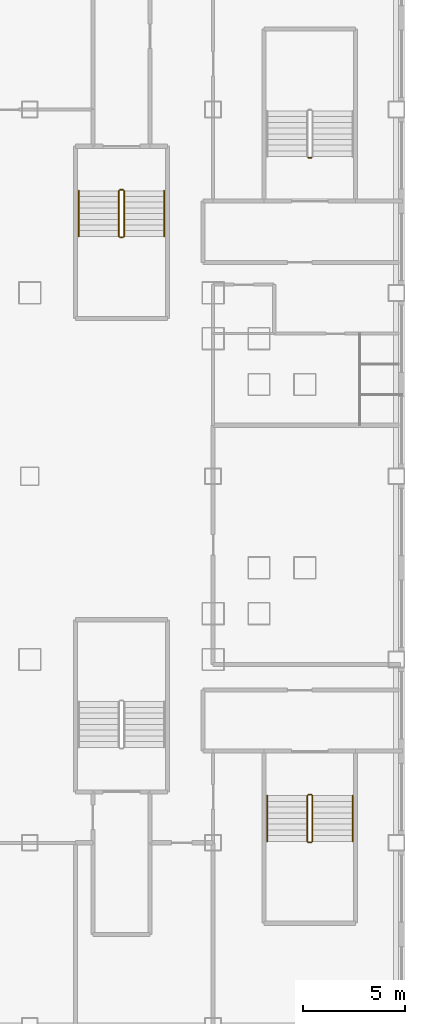
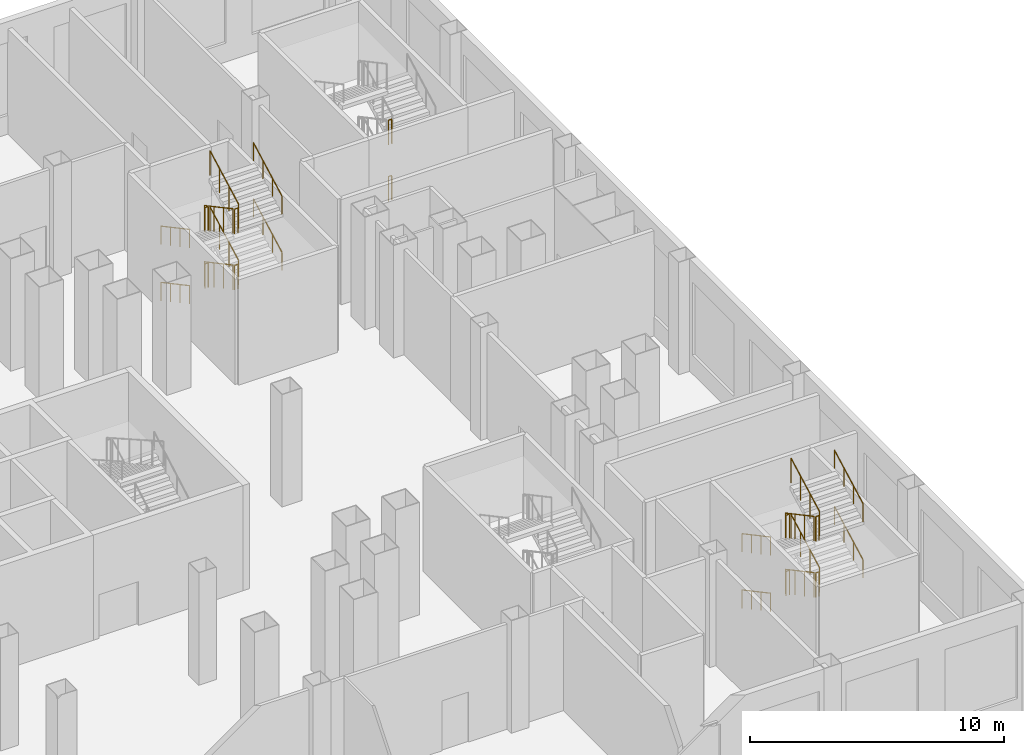
# One storey, part 25 of 26: 26 railings.
"""IFC4 building model written with IfcOpenShell, lengths in metres."""

from ifc_helpers import new_model, si_unit, direction, frame, origin, origin_2d, place, context, subcontext, project, spatial, circle, extrude, material, type_object, element, save


model = new_model("IFC4")

# Units and contexts
model_context = context("Model", 3, precision=1e-05, world=origin(), true_north=direction((0.0, 1.0)))
body_context = subcontext(model_context, "Body", "Model", "MODEL_VIEW")
ifc_project = project(units=[si_unit("LENGTHUNIT", "METRE"), si_unit("AREAUNIT", "SQUARE_METRE"), si_unit("VOLUMEUNIT", "CUBIC_METRE"), si_unit("PLANEANGLEUNIT", "RADIAN"), si_unit("MASSUNIT", "GRAM", prefix="KILO")], contexts=[model_context])

# Site, building, storey
site_placement = place(None, origin())
site = spatial("IfcSite", under=ifc_project, at=site_placement, CompositionType="ELEMENT")
building_placement = place(site_placement, origin())
building = spatial("IfcBuilding", under=site, at=building_placement, Name="Caravel Reach Hotel and Residences", CompositionType="ELEMENT")
storey_placement = place(building_placement, frame((0.0, 0.0, 12.0)))
storey = spatial("IfcBuildingStorey", under=building, at=storey_placement, Name="L02", CompositionType="ELEMENT", Elevation=12.0)

# Railings
ifc_material_1 = material(Name="Steel balustrade with glass infill", Category="steel")
railing_type_1 = type_object("IfcRailingType", Name="Guard 1200", PredefinedType="GUARDRAIL", material=ifc_material_1)
railing_1_placement = place(storey_placement, frame((53.875, 41.010009765625, 0.14990234375)))
element("IfcRailing", 1, at=railing_1_placement, inside=storey, type_object=railing_type_1, Name="L02 ST-P2 stair guard 1", PredefinedType="GUARDRAIL", context=body_context, shape_type="SweptSolid", body=[
    extrude(circle(Radius=0.02392578125, at=origin_2d()), frame((0.0, 0.0, 1.17578125), z_axis=(0.0, -0.881447119201, 0.472282728937), x_axis=(1.0, 0.0, 0.0)), (0.0, 0.0, 1.0), 2.541259765625),
    extrude(circle(Radius=0.02099609375, at=origin_2d()), origin(), (0.0, 0.0, 1.0), 1.15185546875),
    extrude(circle(Radius=0.02099609375, at=origin_2d()), frame((0.0, -0.74658203125, 0.400146484375)), (0.0, 0.0, 1.0), 1.15185546875),
    extrude(circle(Radius=0.02099609375, at=origin_2d()), frame((0.0, -1.493408203125, 0.800048828125)), (0.0, 0.0, 1.0), 1.15185546875),
    extrude(circle(Radius=0.02099609375, at=origin_2d()), frame((0.0, -2.239990234375, 1.2001953125)), (0.0, 0.0, 1.0), 1.15185546875),
])
railing_2_placement = place(storey_placement, frame((53.925048828125, 38.719970703125, 1.35009765625)))
element("IfcRailing", 2, at=railing_2_placement, inside=storey, type_object=railing_type_1, Name="L02 ST-P2 stair guard 2", PredefinedType="GUARDRAIL", context=body_context, shape_type="SweptSolid", body=[
    extrude(circle(Radius=0.02392578125, at=origin_2d()), frame((0.0, 0.0, 1.17578125), z_axis=(1.0, 0.0, 0.0), x_axis=(0.0, 1.0, 0.0)), (0.0, 0.0, 1.0), 0.14990234375),
    extrude(circle(Radius=0.02099609375, at=origin_2d()), origin(), (0.0, 0.0, 1.0), 1.15185546875),
    extrude(circle(Radius=0.02099609375, at=origin_2d()), frame((0.14990234375, 0.0, 0.0)), (0.0, 0.0, 1.0), 1.15185546875),
])
railing_3_placement = place(storey_placement, frame((54.125, 38.77001953125, 1.5)))
element("IfcRailing", 3, at=railing_3_placement, inside=storey, type_object=railing_type_1, Name="L02 ST-P2 stair guard 3", PredefinedType="GUARDRAIL", context=body_context, shape_type="SweptSolid", body=[
    extrude(circle(Radius=0.02392578125, at=origin_2d()), frame((0.0, 0.0, 1.17578125), z_axis=(0.0, 0.881487111273, 0.472208081951), x_axis=(-1.0, 0.0, 0.0)), (0.0, 0.0, 1.0), 2.541259765625),
    extrude(circle(Radius=0.02099609375, at=origin_2d()), origin(), (0.0, 0.0, 1.0), 1.15185546875),
    extrude(circle(Radius=0.02099609375, at=origin_2d()), frame((0.0, 0.74658203125, 0.39990234375)), (0.0, 0.0, 1.0), 1.15185546875),
    extrude(circle(Radius=0.02099609375, at=origin_2d()), frame((0.0, 1.493408203125, 0.800048828125)), (0.0, 0.0, 1.0), 1.15185546875),
    extrude(circle(Radius=0.02099609375, at=origin_2d()), frame((0.0, 2.239990234375, 1.199951171875)), (0.0, 0.0, 1.0), 1.15185546875),
])
railing_4_placement = place(storey_placement, frame((53.925048828125, 41.06005859375, 2.699951171875)))
element("IfcRailing", 4, at=railing_4_placement, inside=storey, type_object=railing_type_1, Name="L02 ST-P2 stair guard 4", PredefinedType="GUARDRAIL", context=body_context, shape_type="SweptSolid", body=[
    extrude(circle(Radius=0.02392578125, at=origin_2d()), frame((0.0, 0.0, 1.17578125), z_axis=(1.0, 0.0, 0.0), x_axis=(0.0, 1.0, 0.0)), (0.0, 0.0, 1.0), 0.14990234375),
    extrude(circle(Radius=0.02099609375, at=origin_2d()), origin(), (0.0, 0.0, 1.0), 1.15185546875),
    extrude(circle(Radius=0.02099609375, at=origin_2d()), frame((0.14990234375, 0.0, 0.0)), (0.0, 0.0, 1.0), 1.15185546875),
])
railing_5_placement = place(storey_placement, frame((53.875, 41.010009765625, 2.85009765625)))
element("IfcRailing", 5, at=railing_5_placement, inside=storey, type_object=railing_type_1, Name="L02 ST-P2 stair guard 5", PredefinedType="GUARDRAIL", context=body_context, shape_type="SweptSolid", body=[
    extrude(circle(Radius=0.02392578125, at=origin_2d()), frame((0.0, 0.0, 1.17578125), z_axis=(0.0, -0.881487111273, 0.472208081951), x_axis=(1.0, 0.0, 0.0)), (0.0, 0.0, 1.0), 2.541259765625),
    extrude(circle(Radius=0.02099609375, at=origin_2d()), origin(), (0.0, 0.0, 1.0), 1.15185546875),
    extrude(circle(Radius=0.02099609375, at=origin_2d()), frame((0.0, -0.74658203125, 0.39990234375)), (0.0, 0.0, 1.0), 1.15185546875),
    extrude(circle(Radius=0.02099609375, at=origin_2d()), frame((0.0, -1.493408203125, 0.800048828125)), (0.0, 0.0, 1.0), 1.15185546875),
    extrude(circle(Radius=0.02099609375, at=origin_2d()), frame((0.0, -2.239990234375, 1.199951171875)), (0.0, 0.0, 1.0), 1.15185546875),
])
railing_6_placement = place(storey_placement, frame((53.925048828125, 38.719970703125, 4.050048828125)))
element("IfcRailing", 6, at=railing_6_placement, inside=storey, type_object=railing_type_1, Name="L02 ST-P2 stair guard 6", PredefinedType="GUARDRAIL", context=body_context, shape_type="SweptSolid", body=[
    extrude(circle(Radius=0.02392578125, at=origin_2d()), frame((0.0, 0.0, 1.17578125), z_axis=(1.0, 0.0, 0.0), x_axis=(0.0, 1.0, 0.0)), (0.0, 0.0, 1.0), 0.14990234375),
    extrude(circle(Radius=0.02099609375, at=origin_2d()), origin(), (0.0, 0.0, 1.0), 1.15185546875),
    extrude(circle(Radius=0.02099609375, at=origin_2d()), frame((0.14990234375, 0.0, 0.0)), (0.0, 0.0, 1.0), 1.15185546875),
])
railing_7_placement = place(storey_placement, frame((54.125, 38.77001953125, 4.199951171875)))
element("IfcRailing", 7, at=railing_7_placement, inside=storey, type_object=railing_type_1, Name="L02 ST-P2 stair guard 7", PredefinedType="GUARDRAIL", context=body_context, shape_type="SweptSolid", body=[
    extrude(circle(Radius=0.02392578125, at=origin_2d()), frame((0.0, 0.0, 1.17578125), z_axis=(0.0, 0.881487111273, 0.472208081951), x_axis=(-1.0, 0.0, 0.0)), (0.0, 0.0, 1.0), 2.541259765625),
    extrude(circle(Radius=0.02099609375, at=origin_2d()), origin(), (0.0, 0.0, 1.0), 1.15185546875),
    extrude(circle(Radius=0.02099609375, at=origin_2d()), frame((0.0, 0.74658203125, 0.39990234375)), (0.0, 0.0, 1.0), 1.15185546875),
    extrude(circle(Radius=0.02099609375, at=origin_2d()), frame((0.0, 1.493408203125, 0.800048828125)), (0.0, 0.0, 1.0), 1.15185546875),
    extrude(circle(Radius=0.02099609375, at=origin_2d()), frame((0.0, 2.239990234375, 1.199951171875)), (0.0, 0.0, 1.0), 1.15185546875),
])
railing_8_placement = place(storey_placement, frame((53.925048828125, 41.06005859375, 0.0)))
element("IfcRailing", 8, at=railing_8_placement, inside=storey, type_object=railing_type_1, Name="L02 ST-P2 stair guard 8", PredefinedType="GUARDRAIL", context=body_context, shape_type="SweptSolid", body=[
    extrude(circle(Radius=0.02392578125, at=origin_2d()), frame((0.0, 0.0, 1.17578125), z_axis=(1.0, 0.0, 0.0), x_axis=(0.0, 1.0, 0.0)), (0.0, 0.0, 1.0), 0.14990234375),
    extrude(circle(Radius=0.02099609375, at=origin_2d()), origin(), (0.0, 0.0, 1.0), 1.15185546875),
    extrude(circle(Radius=0.02099609375, at=origin_2d()), frame((0.14990234375, 0.0, 0.0)), (0.0, 0.0, 1.0), 1.15185546875),
])
for number, where, name in (
    (9, (63.324951171875, 42.639892578125, 2.699951171875), "L02 ST-P6 stair guard 4"),
    (10, (63.324951171875, 42.639892578125, 0.0), "L02 ST-P6 stair guard 8"),
):
    element("IfcRailing", number, at=place(storey_placement, frame(where)), inside=storey, type_object=railing_type_1, Name=name, PredefinedType="GUARDRAIL", context=body_context, shape_type="SweptSolid", body=[
        extrude(circle(Radius=0.02392578125, at=origin_2d()), frame((0.0, 0.0, 1.17578125), z_axis=(-1.0, 0.0, 0.0), x_axis=(0.0, -1.0, 0.0)), (0.0, 0.0, 1.0), 0.14990234375),
        extrude(circle(Radius=0.02099609375, at=origin_2d()), origin(), (0.0, 0.0, 1.0), 1.15185546875),
        extrude(circle(Radius=0.02099609375, at=origin_2d()), frame((-0.14990234375, 0.0, 0.0)), (0.0, 0.0, 1.0), 1.15185546875),
    ])
railing_9_placement = place(storey_placement, frame((63.125, 11.31005859375, 0.14990234375)))
element("IfcRailing", 11, at=railing_9_placement, inside=storey, type_object=railing_type_1, Name="L02 ST-P7 stair guard 1", PredefinedType="GUARDRAIL", context=body_context, shape_type="SweptSolid", body=[
    extrude(circle(Radius=0.02392578125, at=origin_2d()), frame((0.0, 0.0, 1.17578125), z_axis=(0.0, -0.881447119201, 0.472282728937), x_axis=(1.0, 0.0, 0.0)), (0.0, 0.0, 1.0), 2.541259765625),
    extrude(circle(Radius=0.02099609375, at=origin_2d()), origin(), (0.0, 0.0, 1.0), 1.15185546875),
    extrude(circle(Radius=0.02099609375, at=origin_2d()), frame((0.0, -0.74658203125, 0.400146484375)), (0.0, 0.0, 1.0), 1.15185546875),
    extrude(circle(Radius=0.02099609375, at=origin_2d()), frame((0.0, -1.493408203125, 0.800048828125)), (0.0, 0.0, 1.0), 1.15185546875),
    extrude(circle(Radius=0.02099609375, at=origin_2d()), frame((0.0, -2.239990234375, 1.2001953125)), (0.0, 0.0, 1.0), 1.15185546875),
])
railing_10_placement = place(storey_placement, frame((63.175048828125, 9.02001953125, 1.35009765625)))
element("IfcRailing", 12, at=railing_10_placement, inside=storey, type_object=railing_type_1, Name="L02 ST-P7 stair guard 2", PredefinedType="GUARDRAIL", context=body_context, shape_type="SweptSolid", body=[
    extrude(circle(Radius=0.02392578125, at=origin_2d()), frame((0.0, 0.0, 1.17578125), z_axis=(1.0, 0.0, 0.0), x_axis=(0.0, 1.0, 0.0)), (0.0, 0.0, 1.0), 0.14990234375),
    extrude(circle(Radius=0.02099609375, at=origin_2d()), origin(), (0.0, 0.0, 1.0), 1.15185546875),
    extrude(circle(Radius=0.02099609375, at=origin_2d()), frame((0.14990234375, 0.0, 0.0)), (0.0, 0.0, 1.0), 1.15185546875),
])
railing_11_placement = place(storey_placement, frame((63.375, 9.070068359375, 1.5)))
element("IfcRailing", 13, at=railing_11_placement, inside=storey, type_object=railing_type_1, Name="L02 ST-P7 stair guard 3", PredefinedType="GUARDRAIL", context=body_context, shape_type="SweptSolid", body=[
    extrude(circle(Radius=0.02392578125, at=origin_2d()), frame((0.0, 0.0, 1.17578125), z_axis=(0.0, 0.881487111273, 0.472208081951), x_axis=(-1.0, 0.0, 0.0)), (0.0, 0.0, 1.0), 2.541259765625),
    extrude(circle(Radius=0.02099609375, at=origin_2d()), origin(), (0.0, 0.0, 1.0), 1.15185546875),
    extrude(circle(Radius=0.02099609375, at=origin_2d()), frame((0.0, 0.74658203125, 0.39990234375)), (0.0, 0.0, 1.0), 1.15185546875),
    extrude(circle(Radius=0.02099609375, at=origin_2d()), frame((0.0, 1.493408203125, 0.800048828125)), (0.0, 0.0, 1.0), 1.15185546875),
    extrude(circle(Radius=0.02099609375, at=origin_2d()), frame((0.0, 2.239990234375, 1.199951171875)), (0.0, 0.0, 1.0), 1.15185546875),
])
railing_12_placement = place(storey_placement, frame((63.175048828125, 11.360107421875, 2.699951171875)))
element("IfcRailing", 14, at=railing_12_placement, inside=storey, type_object=railing_type_1, Name="L02 ST-P7 stair guard 4", PredefinedType="GUARDRAIL", context=body_context, shape_type="SweptSolid", body=[
    extrude(circle(Radius=0.02392578125, at=origin_2d()), frame((0.0, 0.0, 1.17578125), z_axis=(1.0, 0.0, 0.0), x_axis=(0.0, 1.0, 0.0)), (0.0, 0.0, 1.0), 0.14990234375),
    extrude(circle(Radius=0.02099609375, at=origin_2d()), origin(), (0.0, 0.0, 1.0), 1.15185546875),
    extrude(circle(Radius=0.02099609375, at=origin_2d()), frame((0.14990234375, 0.0, 0.0)), (0.0, 0.0, 1.0), 1.15185546875),
])
railing_13_placement = place(storey_placement, frame((63.125, 11.31005859375, 2.85009765625)))
element("IfcRailing", 15, at=railing_13_placement, inside=storey, type_object=railing_type_1, Name="L02 ST-P7 stair guard 5", PredefinedType="GUARDRAIL", context=body_context, shape_type="SweptSolid", body=[
    extrude(circle(Radius=0.02392578125, at=origin_2d()), frame((0.0, 0.0, 1.17578125), z_axis=(0.0, -0.881487111273, 0.472208081951), x_axis=(1.0, 0.0, 0.0)), (0.0, 0.0, 1.0), 2.541259765625),
    extrude(circle(Radius=0.02099609375, at=origin_2d()), origin(), (0.0, 0.0, 1.0), 1.15185546875),
    extrude(circle(Radius=0.02099609375, at=origin_2d()), frame((0.0, -0.74658203125, 0.39990234375)), (0.0, 0.0, 1.0), 1.15185546875),
    extrude(circle(Radius=0.02099609375, at=origin_2d()), frame((0.0, -1.493408203125, 0.800048828125)), (0.0, 0.0, 1.0), 1.15185546875),
    extrude(circle(Radius=0.02099609375, at=origin_2d()), frame((0.0, -2.239990234375, 1.199951171875)), (0.0, 0.0, 1.0), 1.15185546875),
])
railing_14_placement = place(storey_placement, frame((63.175048828125, 9.02001953125, 4.050048828125)))
element("IfcRailing", 16, at=railing_14_placement, inside=storey, type_object=railing_type_1, Name="L02 ST-P7 stair guard 6", PredefinedType="GUARDRAIL", context=body_context, shape_type="SweptSolid", body=[
    extrude(circle(Radius=0.02392578125, at=origin_2d()), frame((0.0, 0.0, 1.17578125), z_axis=(1.0, 0.0, 0.0), x_axis=(0.0, 1.0, 0.0)), (0.0, 0.0, 1.0), 0.14990234375),
    extrude(circle(Radius=0.02099609375, at=origin_2d()), origin(), (0.0, 0.0, 1.0), 1.15185546875),
    extrude(circle(Radius=0.02099609375, at=origin_2d()), frame((0.14990234375, 0.0, 0.0)), (0.0, 0.0, 1.0), 1.15185546875),
])
railing_15_placement = place(storey_placement, frame((63.375, 9.070068359375, 4.199951171875)))
element("IfcRailing", 17, at=railing_15_placement, inside=storey, type_object=railing_type_1, Name="L02 ST-P7 stair guard 7", PredefinedType="GUARDRAIL", context=body_context, shape_type="SweptSolid", body=[
    extrude(circle(Radius=0.02392578125, at=origin_2d()), frame((0.0, 0.0, 1.17578125), z_axis=(0.0, 0.881487111273, 0.472208081951), x_axis=(-1.0, 0.0, 0.0)), (0.0, 0.0, 1.0), 2.541259765625),
    extrude(circle(Radius=0.02099609375, at=origin_2d()), origin(), (0.0, 0.0, 1.0), 1.15185546875),
    extrude(circle(Radius=0.02099609375, at=origin_2d()), frame((0.0, 0.74658203125, 0.39990234375)), (0.0, 0.0, 1.0), 1.15185546875),
    extrude(circle(Radius=0.02099609375, at=origin_2d()), frame((0.0, 1.493408203125, 0.800048828125)), (0.0, 0.0, 1.0), 1.15185546875),
    extrude(circle(Radius=0.02099609375, at=origin_2d()), frame((0.0, 2.239990234375, 1.199951171875)), (0.0, 0.0, 1.0), 1.15185546875),
])
railing_16_placement = place(storey_placement, frame((63.175048828125, 11.360107421875, 0.0)))
element("IfcRailing", 18, at=railing_16_placement, inside=storey, type_object=railing_type_1, Name="L02 ST-P7 stair guard 8", PredefinedType="GUARDRAIL", context=body_context, shape_type="SweptSolid", body=[
    extrude(circle(Radius=0.02392578125, at=origin_2d()), frame((0.0, 0.0, 1.17578125), z_axis=(1.0, 0.0, 0.0), x_axis=(0.0, 1.0, 0.0)), (0.0, 0.0, 1.0), 0.14990234375),
    extrude(circle(Radius=0.02099609375, at=origin_2d()), origin(), (0.0, 0.0, 1.0), 1.15185546875),
    extrude(circle(Radius=0.02099609375, at=origin_2d()), frame((0.14990234375, 0.0, 0.0)), (0.0, 0.0, 1.0), 1.15185546875),
])
ifc_material_2 = material(Name="Stainless steel handrail", Category="steel")
railing_type_2 = type_object("IfcRailingType", Name="Handrail 900", PredefinedType="HANDRAIL", material=ifc_material_2)
railing_17_placement = place(storey_placement, frame((51.905029296875, 41.010009765625, 0.14990234375)))
element("IfcRailing", 19, at=railing_17_placement, inside=storey, type_object=railing_type_2, Name="L02 ST-P2 stair handrail 1", PredefinedType="HANDRAIL", context=body_context, shape_type="SweptSolid", body=[
    extrude(circle(Radius=0.02392578125, at=origin_2d()), frame((0.0, 0.0, 0.8759765625), z_axis=(0.0, -0.881447119201, 0.472282728937), x_axis=(1.0, 0.0, 0.0)), (0.0, 0.0, 1.0), 2.541259765625),
    extrude(circle(Radius=0.02099609375, at=origin_2d()), origin(), (0.0, 0.0, 1.0), 0.851806640625),
    extrude(circle(Radius=0.02099609375, at=origin_2d()), frame((0.0, -0.74658203125, 0.400146484375)), (0.0, 0.0, 1.0), 0.851806640625),
    extrude(circle(Radius=0.02099609375, at=origin_2d()), frame((0.0, -1.493408203125, 0.800048828125)), (0.0, 0.0, 1.0), 0.851806640625),
    extrude(circle(Radius=0.02099609375, at=origin_2d()), frame((0.0, -2.239990234375, 1.2001953125)), (0.0, 0.0, 1.0), 0.851806640625),
])
railing_18_placement = place(storey_placement, frame((56.094970703125, 38.77001953125, 1.5)))
element("IfcRailing", 20, at=railing_18_placement, inside=storey, type_object=railing_type_2, Name="L02 ST-P2 stair handrail 2", PredefinedType="HANDRAIL", context=body_context, shape_type="SweptSolid", body=[
    extrude(circle(Radius=0.02392578125, at=origin_2d()), frame((0.0, 0.0, 0.8759765625), z_axis=(0.0, 0.881487111273, 0.472208081951), x_axis=(-1.0, 0.0, 0.0)), (0.0, 0.0, 1.0), 2.541259765625),
    extrude(circle(Radius=0.02099609375, at=origin_2d()), origin(), (0.0, 0.0, 1.0), 0.851806640625),
    extrude(circle(Radius=0.02099609375, at=origin_2d()), frame((0.0, 0.74658203125, 0.39990234375)), (0.0, 0.0, 1.0), 0.851806640625),
    extrude(circle(Radius=0.02099609375, at=origin_2d()), frame((0.0, 1.493408203125, 0.800048828125)), (0.0, 0.0, 1.0), 0.851806640625),
    extrude(circle(Radius=0.02099609375, at=origin_2d()), frame((0.0, 2.239990234375, 1.199951171875)), (0.0, 0.0, 1.0), 0.851806640625),
])
railing_19_placement = place(storey_placement, frame((51.905029296875, 41.010009765625, 2.85009765625)))
element("IfcRailing", 21, at=railing_19_placement, inside=storey, type_object=railing_type_2, Name="L02 ST-P2 stair handrail 3", PredefinedType="HANDRAIL", context=body_context, shape_type="SweptSolid", body=[
    extrude(circle(Radius=0.02392578125, at=origin_2d()), frame((0.0, 0.0, 0.8759765625), z_axis=(0.0, -0.881487111273, 0.472208081951), x_axis=(1.0, 0.0, 0.0)), (0.0, 0.0, 1.0), 2.541259765625),
    extrude(circle(Radius=0.02099609375, at=origin_2d()), origin(), (0.0, 0.0, 1.0), 0.851806640625),
    extrude(circle(Radius=0.02099609375, at=origin_2d()), frame((0.0, -0.74658203125, 0.39990234375)), (0.0, 0.0, 1.0), 0.851806640625),
    extrude(circle(Radius=0.02099609375, at=origin_2d()), frame((0.0, -1.493408203125, 0.800048828125)), (0.0, 0.0, 1.0), 0.851806640625),
    extrude(circle(Radius=0.02099609375, at=origin_2d()), frame((0.0, -2.239990234375, 1.199951171875)), (0.0, 0.0, 1.0), 0.851806640625),
])
railing_20_placement = place(storey_placement, frame((56.094970703125, 38.77001953125, 4.199951171875)))
element("IfcRailing", 22, at=railing_20_placement, inside=storey, type_object=railing_type_2, Name="L02 ST-P2 stair handrail 4", PredefinedType="HANDRAIL", context=body_context, shape_type="SweptSolid", body=[
    extrude(circle(Radius=0.02392578125, at=origin_2d()), frame((0.0, 0.0, 0.8759765625), z_axis=(0.0, 0.881487111273, 0.472208081951), x_axis=(-1.0, 0.0, 0.0)), (0.0, 0.0, 1.0), 2.541259765625),
    extrude(circle(Radius=0.02099609375, at=origin_2d()), origin(), (0.0, 0.0, 1.0), 0.851806640625),
    extrude(circle(Radius=0.02099609375, at=origin_2d()), frame((0.0, 0.74658203125, 0.39990234375)), (0.0, 0.0, 1.0), 0.851806640625),
    extrude(circle(Radius=0.02099609375, at=origin_2d()), frame((0.0, 1.493408203125, 0.800048828125)), (0.0, 0.0, 1.0), 0.851806640625),
    extrude(circle(Radius=0.02099609375, at=origin_2d()), frame((0.0, 2.239990234375, 1.199951171875)), (0.0, 0.0, 1.0), 0.851806640625),
])
railing_21_placement = place(storey_placement, frame((61.155029296875, 11.31005859375, 0.14990234375)))
element("IfcRailing", 23, at=railing_21_placement, inside=storey, type_object=railing_type_2, Name="L02 ST-P7 stair handrail 1", PredefinedType="HANDRAIL", context=body_context, shape_type="SweptSolid", body=[
    extrude(circle(Radius=0.02392578125, at=origin_2d()), frame((0.0, 0.0, 0.8759765625), z_axis=(0.0, -0.881447119201, 0.472282728937), x_axis=(1.0, 0.0, 0.0)), (0.0, 0.0, 1.0), 2.541259765625),
    extrude(circle(Radius=0.02099609375, at=origin_2d()), origin(), (0.0, 0.0, 1.0), 0.851806640625),
    extrude(circle(Radius=0.02099609375, at=origin_2d()), frame((0.0, -0.74658203125, 0.400146484375)), (0.0, 0.0, 1.0), 0.851806640625),
    extrude(circle(Radius=0.02099609375, at=origin_2d()), frame((0.0, -1.493408203125, 0.800048828125)), (0.0, 0.0, 1.0), 0.851806640625),
    extrude(circle(Radius=0.02099609375, at=origin_2d()), frame((0.0, -2.239990234375, 1.2001953125)), (0.0, 0.0, 1.0), 0.851806640625),
])
railing_22_placement = place(storey_placement, frame((65.344970703125, 9.070068359375, 1.5)))
element("IfcRailing", 24, at=railing_22_placement, inside=storey, type_object=railing_type_2, Name="L02 ST-P7 stair handrail 2", PredefinedType="HANDRAIL", context=body_context, shape_type="SweptSolid", body=[
    extrude(circle(Radius=0.02392578125, at=origin_2d()), frame((0.0, 0.0, 0.8759765625), z_axis=(0.0, 0.881487111273, 0.472208081951), x_axis=(-1.0, 0.0, 0.0)), (0.0, 0.0, 1.0), 2.541259765625),
    extrude(circle(Radius=0.02099609375, at=origin_2d()), origin(), (0.0, 0.0, 1.0), 0.851806640625),
    extrude(circle(Radius=0.02099609375, at=origin_2d()), frame((0.0, 0.74658203125, 0.39990234375)), (0.0, 0.0, 1.0), 0.851806640625),
    extrude(circle(Radius=0.02099609375, at=origin_2d()), frame((0.0, 1.493408203125, 0.800048828125)), (0.0, 0.0, 1.0), 0.851806640625),
    extrude(circle(Radius=0.02099609375, at=origin_2d()), frame((0.0, 2.239990234375, 1.199951171875)), (0.0, 0.0, 1.0), 0.851806640625),
])
railing_23_placement = place(storey_placement, frame((61.155029296875, 11.31005859375, 2.85009765625)))
element("IfcRailing", 25, at=railing_23_placement, inside=storey, type_object=railing_type_2, Name="L02 ST-P7 stair handrail 3", PredefinedType="HANDRAIL", context=body_context, shape_type="SweptSolid", body=[
    extrude(circle(Radius=0.02392578125, at=origin_2d()), frame((0.0, 0.0, 0.8759765625), z_axis=(0.0, -0.881487111273, 0.472208081951), x_axis=(1.0, 0.0, 0.0)), (0.0, 0.0, 1.0), 2.541259765625),
    extrude(circle(Radius=0.02099609375, at=origin_2d()), origin(), (0.0, 0.0, 1.0), 0.851806640625),
    extrude(circle(Radius=0.02099609375, at=origin_2d()), frame((0.0, -0.74658203125, 0.39990234375)), (0.0, 0.0, 1.0), 0.851806640625),
    extrude(circle(Radius=0.02099609375, at=origin_2d()), frame((0.0, -1.493408203125, 0.800048828125)), (0.0, 0.0, 1.0), 0.851806640625),
    extrude(circle(Radius=0.02099609375, at=origin_2d()), frame((0.0, -2.239990234375, 1.199951171875)), (0.0, 0.0, 1.0), 0.851806640625),
])
railing_24_placement = place(storey_placement, frame((65.344970703125, 9.070068359375, 4.199951171875)))
element("IfcRailing", 26, at=railing_24_placement, inside=storey, type_object=railing_type_2, Name="L02 ST-P7 stair handrail 4", PredefinedType="HANDRAIL", context=body_context, shape_type="SweptSolid", body=[
    extrude(circle(Radius=0.02392578125, at=origin_2d()), frame((0.0, 0.0, 0.8759765625), z_axis=(0.0, 0.881487111273, 0.472208081951), x_axis=(-1.0, 0.0, 0.0)), (0.0, 0.0, 1.0), 2.541259765625),
    extrude(circle(Radius=0.02099609375, at=origin_2d()), origin(), (0.0, 0.0, 1.0), 0.851806640625),
    extrude(circle(Radius=0.02099609375, at=origin_2d()), frame((0.0, 0.74658203125, 0.39990234375)), (0.0, 0.0, 1.0), 0.851806640625),
    extrude(circle(Radius=0.02099609375, at=origin_2d()), frame((0.0, 1.493408203125, 0.800048828125)), (0.0, 0.0, 1.0), 0.851806640625),
    extrude(circle(Radius=0.02099609375, at=origin_2d()), frame((0.0, 2.239990234375, 1.199951171875)), (0.0, 0.0, 1.0), 0.851806640625),
])

save(model, "model.ifc")
